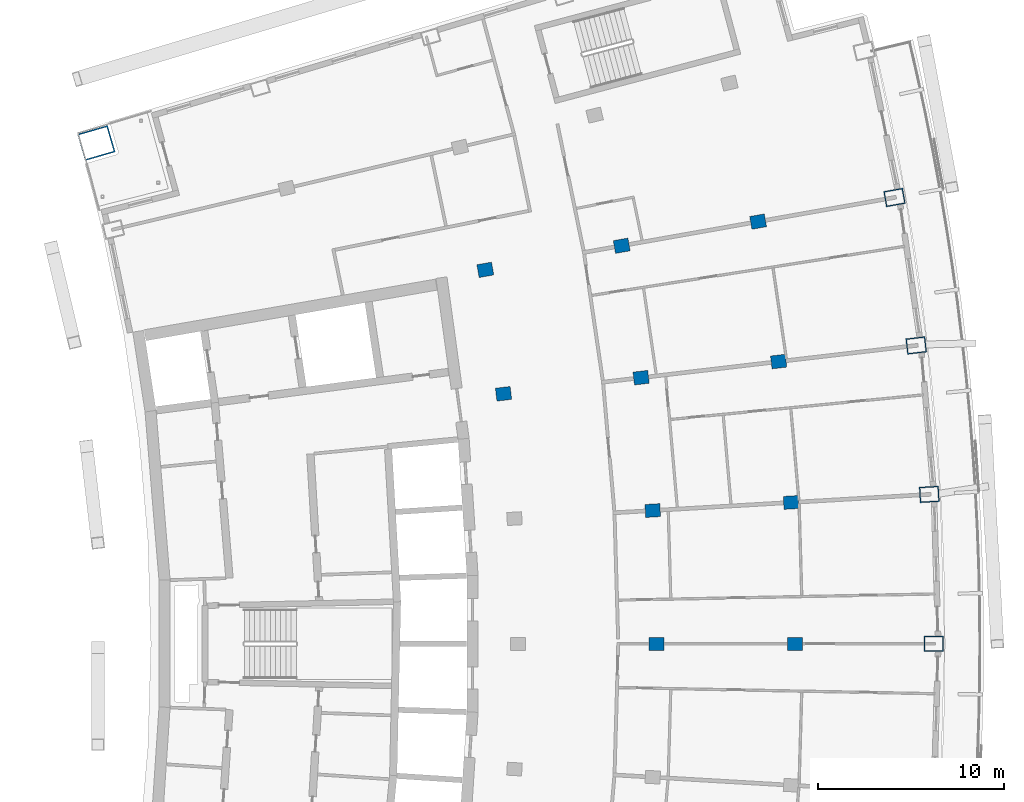
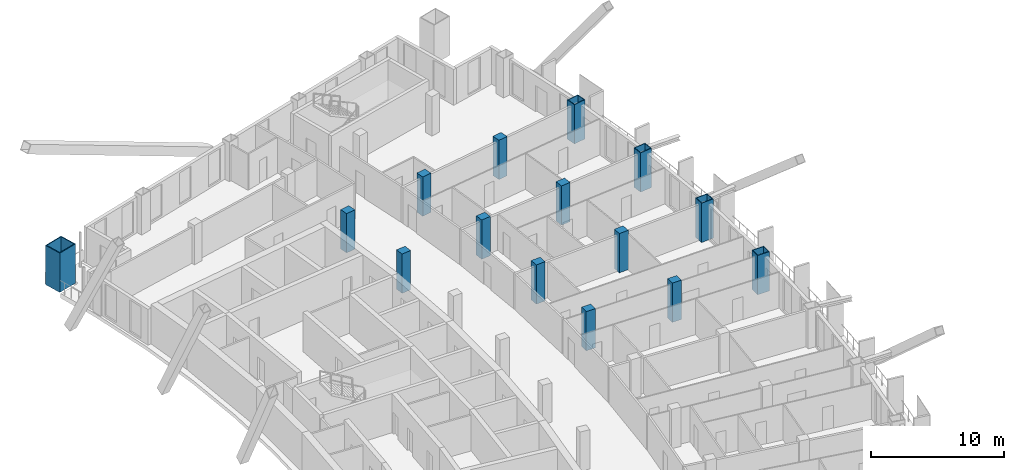
# One storey, part 6 of 19: 15 columns.
"""IFC4 building model written with IfcOpenShell, lengths in metres."""

import ifcopenshell
import ifcopenshell.guid

model = None  # the IFC model being written
_history = None  # IfcOwnerHistory: only IFC2X3 demands one
_inside = {}  # id of a spatial element -> (the spatial element, [elements in it])
_under = {}  # id of a project, library or spatial element -> (it, [spatial elements below it])
_declared = {}  # id of a project -> (the project, [libraries it declares])
_typed = {}  # id of a type object -> (the type object, [elements of that type])
_made_of = {}  # id of a material, layer set ... -> (it, [elements and type objects made of it])


def new_model(schema):
    """Start an empty IFC model of exactly this schema.

    Asked for "IFC4X3", IfcOpenShell would pick the latest addendum, in which some entities
    have other attributes; the version numbers below select the first issue.
    IFC2X3 requires an IfcOwnerHistory on every rooted entity: one is made here for all.
    """
    global model, _history
    if schema == "IFC4X3":
        model = ifcopenshell.file(schema_version=(4, 3, 0, 0))
    else:
        model = ifcopenshell.file(schema=schema)
    _inside.clear()
    _under.clear()
    _declared.clear()
    _typed.clear()
    _made_of.clear()
    _history = None
    if model.schema == "IFC2X3":
        org = make("IfcOrganization", Name="unknown")
        user = make(
            "IfcPersonAndOrganization",
            ThePerson=make("IfcPerson", FamilyName="unknown"),
            TheOrganization=org,
        )
        app = make(
            "IfcApplication",
            ApplicationDeveloper=org,
            Version="unknown",
            ApplicationFullName="unknown",
            ApplicationIdentifier="unknown",
        )
        _history = make(
            "IfcOwnerHistory",
            OwningUser=user,
            OwningApplication=app,
            ChangeAction="ADDED",
            CreationDate=0,
        )
    return model


def make(cls, **values):
    """One entity of the class cls with the attributes given. An attribute that is None is left unset."""
    return model.create_entity(
        cls, **{name: value for name, value in values.items() if value is not None}
    )


def rooted(cls, **values):
    """An entity with a GlobalId (a new one), such as an element, a storey or a relation."""
    return make(cls, GlobalId=ifcopenshell.guid.new(), OwnerHistory=_history, **values)


def si_unit(unit_type, name, prefix=None):
    """IfcSIUnit, for example si_unit("LENGTHUNIT", "METRE", prefix="MILLI")."""
    return make("IfcSIUnit", UnitType=unit_type, Prefix=prefix, Name=name)


def assignment(units):
    """IfcUnitAssignment: the units of a project."""
    return None if units is None else make("IfcUnitAssignment", Units=units)


def point(xyz):
    """IfcCartesianPoint."""
    return None if xyz is None else make("IfcCartesianPoint", Coordinates=xyz)


def direction(xyz):
    """IfcDirection."""
    return None if xyz is None else make("IfcDirection", DirectionRatios=xyz)


def frame(location, z_axis=None, x_axis=None):
    """IfcAxis2Placement3D, a coordinate frame: its origin and axes. An axis left out is left unset."""
    return make(
        "IfcAxis2Placement3D",
        Location=point(location),
        Axis=direction(z_axis),
        RefDirection=direction(x_axis),
    )


def frame_2d(location, x_axis=None):
    """IfcAxis2Placement2D, a coordinate frame in the plane: its origin and x axis."""
    return make(
        "IfcAxis2Placement2D", Location=point(location), RefDirection=direction(x_axis)
    )


def origin():
    """The frame at (0, 0, 0) with its axes left unset."""
    return frame((0.0, 0.0, 0.0))


def origin_2d():
    """The frame at (0, 0) in the plane with its x axis left unset."""
    return frame_2d((0.0, 0.0))


def place(relative_to, where):
    """IfcLocalPlacement: puts the frame where relative to a parent placement (None: the world)."""
    return make(
        "IfcLocalPlacement", PlacementRelTo=relative_to, RelativePlacement=where
    )


def context(
    kind, dimensions, precision=None, world=None, true_north=None, identifier=None
):
    """IfcGeometricRepresentationContext, for example the 3D "Model" context."""
    return make(
        "IfcGeometricRepresentationContext",
        ContextIdentifier=identifier,
        ContextType=kind,
        CoordinateSpaceDimension=dimensions,
        Precision=precision,
        WorldCoordinateSystem=world,
        TrueNorth=true_north,
    )


def subcontext(parent, identifier, kind, view, scale=None):
    """IfcGeometricRepresentationSubContext, for example "Body" below "Model"."""
    return make(
        "IfcGeometricRepresentationSubContext",
        ContextIdentifier=identifier,
        ContextType=kind,
        ParentContext=parent,
        TargetScale=scale,
        TargetView=view,
    )


def project(units=None, contexts=None):
    """IfcProject with its units and contexts."""
    return rooted(
        "IfcProject",
        Name="project",
        RepresentationContexts=contexts,
        UnitsInContext=assignment(units),
    )


def spatial(cls, under=None, at=None, **own):
    """A site, building, storey or space (cls), placed at a placement, below another one or the project."""
    s = rooted(cls, ObjectPlacement=at, **own)
    if under is not None:
        _under.setdefault(under.id(), (under, []))[1].append(s)
    return s


def profile(cls, at=None, kind="AREA", **sizes):
    """A parametric profile (cls). Its sizes go by their IFC names, for example OverallWidth=200.0."""
    return make(cls, ProfileType=kind, Position=at, **sizes)


def rectangle(**sizes):
    """IfcRectangleProfileDef."""
    return profile("IfcRectangleProfileDef", **sizes)


def hollow_rectangle(**sizes):
    """IfcRectangleHollowProfileDef."""
    return profile("IfcRectangleHollowProfileDef", **sizes)


def extrude(swept, where, along, depth):
    """IfcExtrudedAreaSolid: the profile swept, set in the frame where, extruded along a direction by depth."""
    return make(
        "IfcExtrudedAreaSolid",
        SweptArea=swept,
        Position=where,
        ExtrudedDirection=direction(along),
        Depth=depth,
    )


def shape(context_of_items, identifier, shape_type, items):
    """IfcShapeRepresentation: the items that make up one representation, for example the "Body"."""
    return make(
        "IfcShapeRepresentation",
        ContextOfItems=context_of_items,
        RepresentationIdentifier=identifier,
        RepresentationType=shape_type,
        Items=items,
    )


def material(Name=None, Category=None):
    """IfcMaterial."""
    return make("IfcMaterial", Name=Name, Category=Category)


def material_profile(
    of_material, cross_section, Name=None, Category=None, Priority=None
):
    """IfcMaterialProfile: a cross section and its material."""
    return make(
        "IfcMaterialProfile",
        Name=Name,
        Material=of_material,
        Profile=cross_section,
        Priority=Priority,
        Category=Category,
    )


def profile_set(profiles, Name=None, composite=None):
    """IfcMaterialProfileSet."""
    return make(
        "IfcMaterialProfileSet",
        Name=Name,
        MaterialProfiles=profiles,
        CompositeProfile=composite,
    )


def made_of(thing, what):
    """Note that an element or type object is made of a material, layer set ...; save() writes the relation."""
    if what is not None:
        _made_of.setdefault(what.id(), (what, []))[1].append(thing)
    return thing


def type_object(cls, material=None, **own):
    """A type object (cls), such as IfcWallType, which elements share."""
    return made_of(rooted(cls, **own), material)


def element(
    cls,
    number,
    at=None,
    inside=None,
    cuts=None,
    type_object=None,
    material=None,
    context=None,
    identifier="Body",
    shape_type=None,
    held_by="IfcProductDefinitionShape",
    body=None,
    shapes=None,
    **own,
):
    """One element of the class cls, such as IfcWall. Its Tag is "e" and its number.

    at: its placement. inside: the storey or other place that contains it. cuts: it is an
    opening in that element (IfcRelVoidsElement). A single representation is given by context,
    identifier, shape_type and body (its items); several are given by shapes. held_by: the class
    of the entity that holds the representations. save() writes the other relations.
    """
    e = rooted(cls, Tag="e%d" % number, ObjectPlacement=at, **own)
    if body is not None:
        shapes = [shape(context, identifier, shape_type, body)]
    if shapes is not None:
        e.Representation = make(held_by, Representations=shapes)
    if inside is not None:
        _inside.setdefault(inside.id(), (inside, []))[1].append(e)
    if cuts is not None:
        rooted(
            "IfcRelVoidsElement", RelatingBuildingElement=cuts, RelatedOpeningElement=e
        )
    if type_object is not None:
        _typed.setdefault(type_object.id(), (type_object, []))[1].append(e)
    return made_of(e, material)


def aggregate(whole, parts):
    """IfcRelAggregates: a whole, such as a stair, and the parts it consists of."""
    return rooted("IfcRelAggregates", RelatingObject=whole, RelatedObjects=parts)


def save(model, path):
    """Write the relations noted so far, then the file.

    IfcRelAggregates (storeys below a building ...), IfcRelContainedInSpatialStructure (elements
    in a storey), IfcRelDefinesByType, IfcRelAssociatesMaterial and IfcRelDeclares: one each for
    every whole, place, type object, material and project.
    """
    for whole, parts in _under.values():
        aggregate(whole, parts)
    for where, things in _inside.values():
        rooted(
            "IfcRelContainedInSpatialStructure",
            RelatedElements=things,
            RelatingStructure=where,
        )
    for kind, things in _typed.values():
        rooted("IfcRelDefinesByType", RelatedObjects=things, RelatingType=kind)
    for what, things in _made_of.values():
        rooted("IfcRelAssociatesMaterial", RelatedObjects=things, RelatingMaterial=what)
    for by, libraries in _declared.values():
        rooted("IfcRelDeclares", RelatingContext=by, RelatedDefinitions=libraries)
    model.write(path)


model = new_model("IFC4")

# Units and contexts
model_context = context("Model", 3, precision=1e-05, world=origin(), true_north=direction((0.0, 1.0)))
body_context = subcontext(model_context, "Body", "Model", "MODEL_VIEW")
ifc_project = project(units=[si_unit("LENGTHUNIT", "METRE"), si_unit("AREAUNIT", "SQUARE_METRE"), si_unit("VOLUMEUNIT", "CUBIC_METRE"), si_unit("PLANEANGLEUNIT", "RADIAN"), si_unit("MASSUNIT", "GRAM", prefix="KILO")], contexts=[model_context])

# Site, building, storey
site_placement = place(None, origin())
site = spatial("IfcSite", under=ifc_project, at=site_placement, CompositionType="ELEMENT")
building_placement = place(site_placement, origin())
building = spatial("IfcBuilding", under=site, at=building_placement, Name="Alderwake Tower", CompositionType="ELEMENT")
storey_placement = place(building_placement, frame((0.0, 0.0, 200.0)))
storey = spatial("IfcBuildingStorey", under=building, at=storey_placement, Name="L49", CompositionType="ELEMENT", Elevation=200.0)

# Columns
ifc_material_1 = material(Name="Concrete C70/85", Category="concrete")
ifc_material_profile_1 = material_profile(ifc_material_1, rectangle(XDim=0.699951171875, YDim=0.800048828125, at=origin_2d()), Name="RC 800X700")
ifc_profile_set_1 = profile_set([ifc_material_profile_1], Name="Concrete C70/85")
column_type_1 = type_object("IfcColumnType", Name="Interior column Z4", PredefinedType="COLUMN", material=ifc_profile_set_1)
for number, where, z_axis, x_axis, name in (
    (1, (43.2666015625, 61.0, 0.0), (0.0, 0.0, 1.0), (0.0, 1.0, 0.0), "Column R07-C3"),
    (2, (50.7333984375, 61.0, 0.0), (0.0, 0.0, 1.0), (0.0, 1.0, 0.0), "Column R07-C4"),
    (3, (43.056884765625, 68.1865234375, 0.0), (0.0, 0.0, 1.0), (-0.058301061284, 0.998299046505, 0.0), "Column R08-C3"),
    (4, (50.510986328125, 68.621826171875, 0.0), (0.0, 0.0, 1.0), (-0.058301061284, 0.998299046505, 0.0), "Column R08-C4"),
    (5, (35.0126953125, 74.4794921875, 0.0), (0.0, 0.0, 1.0), (-0.116402054316, 0.993202175668, 0.0), "Column R09-C2"),
    (6, (42.4287109375, 75.348388671875, 0.0), (0.0, 0.0, 1.0), (-0.116402054316, 0.993202175668, 0.0), "Column R09-C3"),
    (7, (49.844482421875, 76.217529296875, 0.0), (0.0, 0.0, 1.0), (-0.116402054316, 0.993202175668, 0.0), "Column R09-C4"),
    (8, (34.03125, 81.16162109375, 0.0), (0.0, 0.0, 1.0), (-0.174108800747, 0.984726421654, 0.0), "Column R10-C2"),
    (9, (41.384033203125, 82.461669921875, 0.0), (0.0, 0.0, 1.0), (-0.174107082075, 0.984726725529, 0.0), "Column R10-C3"),
    (10, (48.736572265625, 83.76171875, 0.0), (0.0, 0.0, 1.0), (-0.174107082075, 0.984726725529, 0.0), "Column R10-C4"),
):
    element("IfcColumn", number, at=place(storey_placement, frame(where, z_axis=z_axis, x_axis=x_axis)), inside=storey, type_object=column_type_1, Name=name, PredefinedType="COLUMN", context=body_context, shape_type="SweptSolid", body=[
        extrude(rectangle(XDim=0.699951171875, YDim=0.800048828125, at=origin_2d()), origin(), (0.0, 0.0, 1.0), 3.60009765625),
    ])
ifc_material_2 = material(Name="Steel ASTM A572 Grade 50 concrete filled C70/85", Category="concrete")
ifc_material_profile_2 = material_profile(ifc_material_2, hollow_rectangle(XDim=1.5, YDim=1.699951171875, WallThickness=0.074951171875, at=origin_2d()), Name="BOX 1700X1500X75")
ifc_profile_set_2 = profile_set([ifc_material_profile_2], Name="Steel ASTM A572 Grade 50 concrete filled C70/85")
column_type_2 = type_object("IfcColumnType", Name="Mega column Z4", PredefinedType="COLUMN", material=ifc_profile_set_2)
column_placement = place(storey_placement, frame((13.06298828125, 87.99755859375, 0.0), z_axis=(0.0, 0.0, 1.0), x_axis=(-0.278612301868, 0.960403657452, 0.0)))
element("IfcColumn", 11, at=column_placement, inside=storey, type_object=column_type_2, Name="Column R12-C0", PredefinedType="COLUMN", context=body_context, shape_type="SweptSolid", body=[
    extrude(hollow_rectangle(XDim=1.5, YDim=1.699951171875, WallThickness=0.074951171875, at=origin_2d()), origin(), (0.0, 0.0, 1.0), 3.60009765625),
])
ifc_material_3 = material(Name="Steel ASTM A572 Grade 50 concrete filled C70/85", Category="concrete")
ifc_material_profile_3 = material_profile(ifc_material_3, hollow_rectangle(XDim=0.85009765625, YDim=1.050048828125, WallThickness=0.054931640625, at=origin_2d()), Name="BOX 1050X850X55")
ifc_profile_set_3 = profile_set([ifc_material_profile_3], Name="Steel ASTM A572 Grade 50 concrete filled C70/85")
column_type_3 = type_object("IfcColumnType", Name="Perimeter column Z4", PredefinedType="COLUMN", material=ifc_profile_set_3)
for number, where, z_axis, x_axis, name in (
    (12, (58.199951171875, 61.0, 0.0), (0.0, 0.0, 1.0), (0.0, 1.0, 0.0), "Column R07-C5"),
    (13, (57.96484375, 69.05712890625, 0.0), (0.0, 0.0, 1.0), (-0.058301061284, 0.998299046505, 0.0), "Column R08-C5"),
    (14, (57.260498046875, 77.0869140625, 0.0), (0.0, 0.0, 1.0), (-0.116402054316, 0.993202175668, 0.0), "Column R09-C5"),
    (15, (56.089111328125, 85.061767578125, 0.0), (0.0, 0.0, 1.0), (-0.174107082075, 0.984726725529, 0.0), "Column R10-C5"),
):
    element("IfcColumn", number, at=place(storey_placement, frame(where, z_axis=z_axis, x_axis=x_axis)), inside=storey, type_object=column_type_3, Name=name, PredefinedType="COLUMN", context=body_context, shape_type="SweptSolid", body=[
        extrude(hollow_rectangle(XDim=0.85009765625, YDim=1.050048828125, WallThickness=0.054931640625, at=origin_2d()), origin(), (0.0, 0.0, 1.0), 3.60009765625),
    ])

save(model, "model.ifc")
